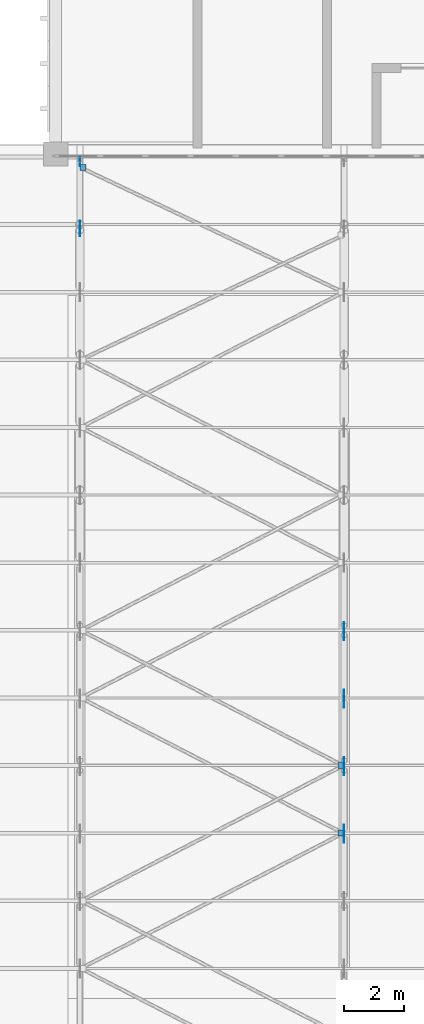
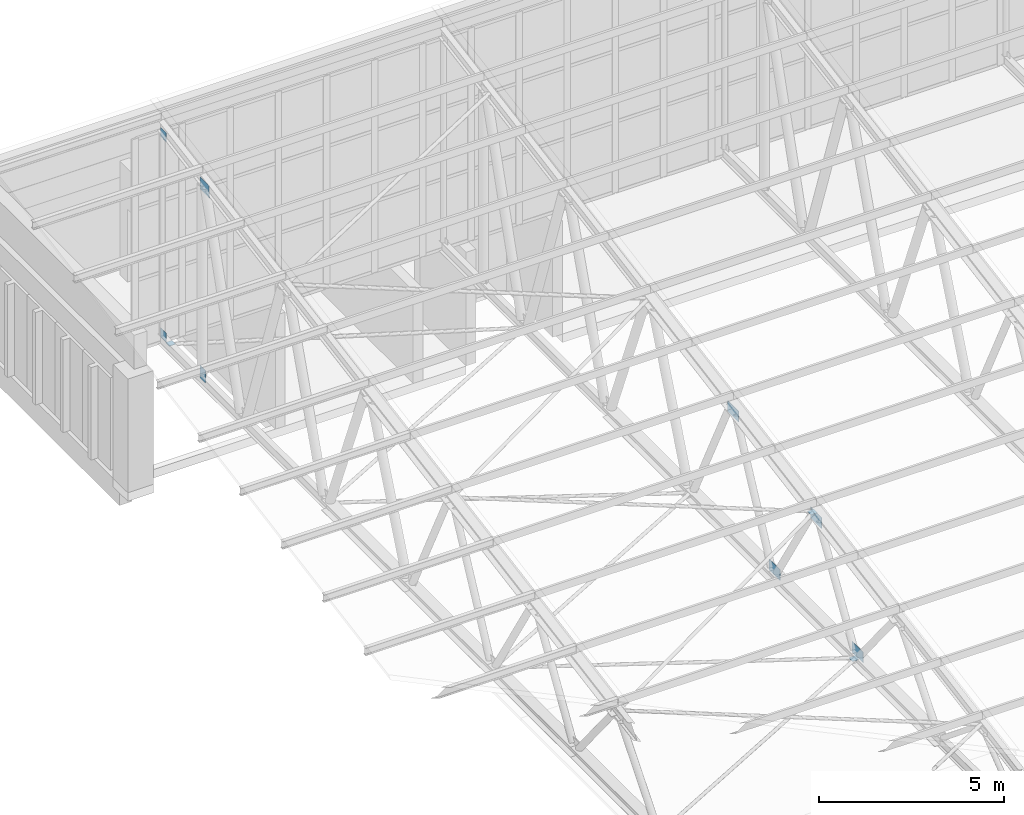
# One storey, part 150 of 185: 11 discrete accessories.
"""IFC4 building model written with IfcOpenShell, lengths in metres."""

from ifc_helpers import new_model, si_unit, direction, frame, origin, origin_2d, place, context, subcontext, project, spatial, rectangle, extrude, material, layer, layer_set, type_object, element, save


model = new_model("IFC4")

# Units and contexts
model_context = context("Model", 3, precision=1e-05, world=origin(), true_north=direction((0.0, 1.0)))
body_context = subcontext(model_context, "Body", "Model", "MODEL_VIEW")
ifc_project = project(units=[si_unit("LENGTHUNIT", "METRE"), si_unit("AREAUNIT", "SQUARE_METRE"), si_unit("VOLUMEUNIT", "CUBIC_METRE"), si_unit("PLANEANGLEUNIT", "RADIAN"), si_unit("MASSUNIT", "GRAM", prefix="KILO")], contexts=[model_context])

# Site, building, storey
site_placement = place(None, origin())
site = spatial("IfcSite", under=ifc_project, at=site_placement, CompositionType="ELEMENT")
building_placement = place(site_placement, origin())
building = spatial("IfcBuilding", under=site, at=building_placement, Name="Opaline Strait Convention Centre", CompositionType="ELEMENT")
storey_placement = place(building_placement, frame((0.0, 0.0, 6.0)))
storey = spatial("IfcBuildingStorey", under=building, at=storey_placement, Name="L01", CompositionType="ELEMENT", Elevation=6.0)

# Discrete accessories
ifc_material = material(Name="Steel Q355B", Category="steel")
ifc_layer_1 = layer(ifc_material, 0.014892578125)
ifc_layer_set_1 = layer_set([ifc_layer_1], Name="Steel Q355B")
discrete_accessory_type_1 = type_object("IfcDiscreteAccessoryType", Name="Brace gusset plate 200 x 200 x 15", PredefinedType="USERDEFINED", material=ifc_layer_set_1)
for number, where, z_axis, x_axis, name in (
    (1, (288.903564453125, 62.550048828125, 4.49267578125), (0.0, 0.0, 1.0), (1.0, 0.0, 0.0), "BNP8 roof brace gusset plate end bay 1 bottom plane"),
    (2, (297.46533203125, 40.46240234375, 4.49267578125), (0.0, 0.0, 1.0), (1.0, 0.0, 0.0), "BNP8 roof brace gusset plate end bay 1 bottom plane"),
    (3, (297.46533203125, 42.706298828125, 7.9619140625), (0.0, 0.0, 1.0), (1.0, 0.0, 0.0), "BNP8 roof brace gusset plate end bay 1 top plane"),
):
    element("IfcDiscreteAccessory", number, at=place(storey_placement, frame(where, z_axis=z_axis, x_axis=x_axis)), inside=storey, type_object=discrete_accessory_type_1, Name=name, ObjectType="NODE HUB", PredefinedType="USERDEFINED", context=body_context, shape_type="SweptSolid", body=[
        extrude(rectangle(XDim=0.199951171875, YDim=0.199951171875, at=origin_2d()), origin(), (0.0, 0.0, 1.0), 0.014892578125),
    ])
ifc_layer_2 = layer(ifc_material, 0.014892578125)
ifc_layer_set_2 = layer_set([ifc_layer_2], Name="Steel Q355B")
discrete_accessory_type_2 = type_object("IfcDiscreteAccessoryType", Name="Truss node plate 300 x 300 x 15", PredefinedType="USERDEFINED", material=ifc_layer_set_2)
for number, where, z_axis, x_axis, name in (
    (4, (288.800048828125, 62.7451171875, 4.544921875), (0.0, 0.0, 1.0), (1.0, 0.0, 0.0), "BNP5 truss node plate line 1 bottom node"),
    (5, (288.800048828125, 62.7451171875, 11.1552734375), (0.0, 0.0, 1.0), (1.0, 0.0, 0.0), "BNP5 truss node plate line 1 top node"),
):
    element("IfcDiscreteAccessory", number, at=place(storey_placement, frame(where, z_axis=z_axis, x_axis=x_axis)), inside=storey, type_object=discrete_accessory_type_2, Name=name, ObjectType="NODE HUB", PredefinedType="USERDEFINED", context=body_context, shape_type="SweptSolid", body=[
        extrude(rectangle(XDim=0.014892578125, YDim=0.300048828125, at=origin_2d()), origin(), (0.0, 0.0, 1.0), 0.300048828125),
    ])
ifc_layer_3 = layer(ifc_material, 0.014892578125)
ifc_layer_set_3 = layer_set([ifc_layer_3], Name="Steel Q355B")
discrete_accessory_type_3 = type_object("IfcDiscreteAccessoryType", Name="Truss node plate 300 x 400 x 15", PredefinedType="USERDEFINED", material=ifc_layer_set_3)
discrete_accessory_1_placement = place(storey_placement, frame((288.800048828125, 60.626220703125, 4.4951171875), z_axis=(0.0, 0.0, 1.0), x_axis=(1.0, 0.0, 0.0)))
element("IfcDiscreteAccessory", 6, at=discrete_accessory_1_placement, inside=storey, type_object=discrete_accessory_type_3, Name="BNP4 truss node plate line 1 bottom node", ObjectType="NODE HUB", PredefinedType="USERDEFINED", context=body_context, shape_type="SweptSolid", body=[
    extrude(rectangle(XDim=0.014892578125, YDim=0.300048828125, at=origin_2d()), origin(), (0.0, 0.0, 1.0), 0.39990234375),
])
ifc_layer_4 = layer(ifc_material, 0.014892578125)
ifc_layer_set_4 = layer_set([ifc_layer_4], Name="Steel Q355B")
discrete_accessory_type_4 = type_object("IfcDiscreteAccessoryType", Name="Truss node plate 500 x 400 x 15", PredefinedType="USERDEFINED", material=ifc_layer_set_4)
discrete_accessory_2_placement = place(storey_placement, frame((288.800048828125, 60.5263671875, 10.7138671875), z_axis=(0.0, 0.0, 1.0), x_axis=(1.0, 0.0, 0.0)))
element("IfcDiscreteAccessory", 7, at=discrete_accessory_2_placement, inside=storey, type_object=discrete_accessory_type_4, Name="BNP7 truss node plate line 1 top node", ObjectType="NODE HUB", PredefinedType="USERDEFINED", context=body_context, shape_type="SweptSolid", body=[
    extrude(rectangle(XDim=0.014892578125, YDim=0.5, at=origin_2d()), origin(), (0.0, 0.0, 1.0), 0.39990234375),
])
ifc_layer_5 = layer(ifc_material, 0.014892578125)
ifc_layer_set_5 = layer_set([ifc_layer_5], Name="Steel Q355B")
discrete_accessory_type_5 = type_object("IfcDiscreteAccessoryType", Name="Truss node plate 600 x 350 x 15", PredefinedType="USERDEFINED", material=ifc_layer_set_5)
for number, where, z_axis, x_axis, name in (
    (8, (297.5712890625, 40.441650390625, 4.52001953125), (0.0, 0.0, 1.0), (1.0, 0.0, 0.0), "BNP2 truss node plate line 2 bottom node"),
    (9, (297.5712890625, 44.92236328125, 4.52001953125), (0.0, 0.0, 1.0), (1.0, 0.0, 0.0), "BNP2 truss node plate line 2 bottom node"),
    (10, (297.5712890625, 42.6845703125, 7.5927734375), (0.0, 0.0, 1.0), (1.0, 0.0, 0.0), "BNP2 truss node plate line 2 top node"),
    (11, (297.5712890625, 47.165771484375, 8.383056640625), (0.0, 0.0, 1.0), (1.0, 0.0, 0.0), "BNP2 truss node plate line 2 top node"),
):
    element("IfcDiscreteAccessory", number, at=place(storey_placement, frame(where, z_axis=z_axis, x_axis=x_axis)), inside=storey, type_object=discrete_accessory_type_5, Name=name, ObjectType="NODE HUB", PredefinedType="USERDEFINED", context=body_context, shape_type="SweptSolid", body=[
        extrude(rectangle(XDim=0.014892578125, YDim=0.60009765625, at=origin_2d()), origin(), (0.0, 0.0, 1.0), 0.35009765625),
    ])

save(model, "model.ifc")
